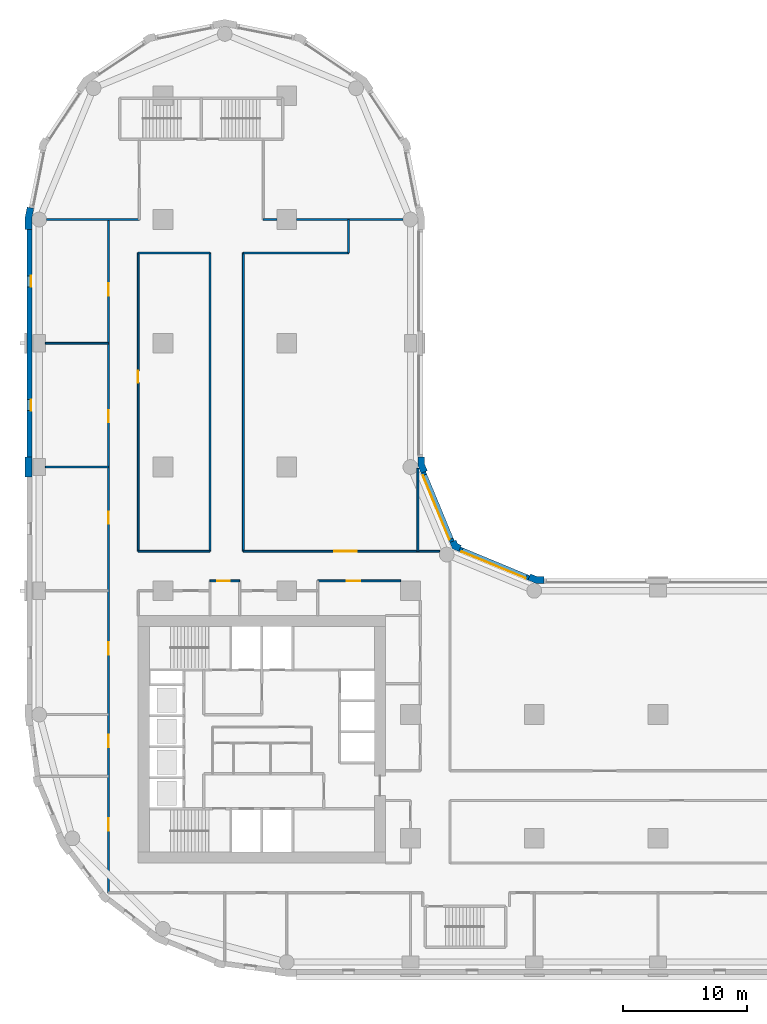
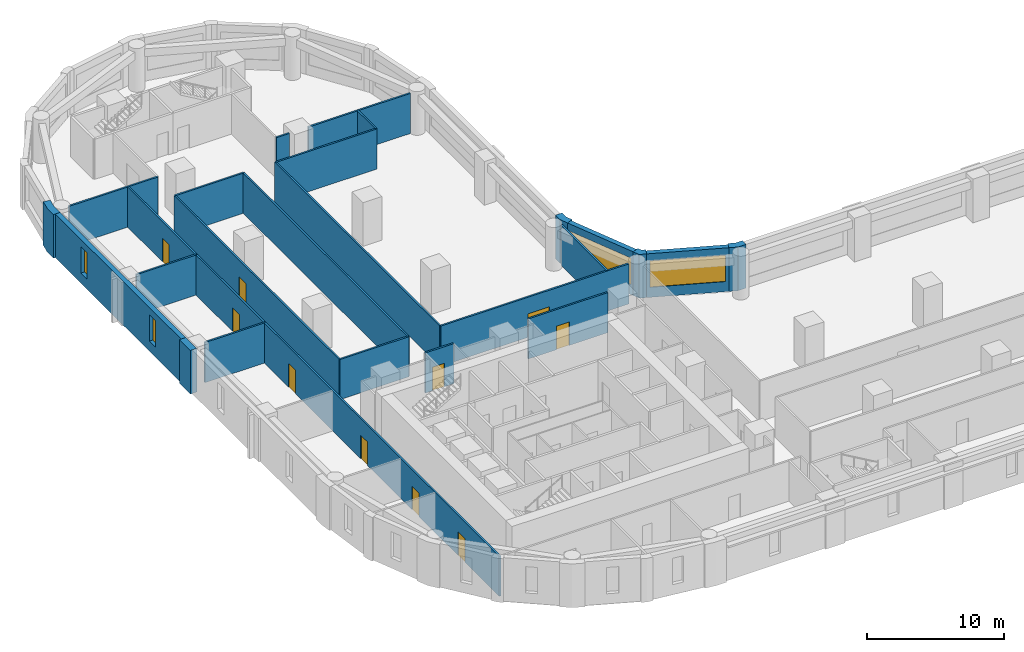
# One storey, part 5 of 10: 25 walls, 10 doors, 4 windows, 14 openings.
"""IFC4 building model written with IfcOpenShell, lengths in metres."""

from ifc_helpers import new_model, si_unit, direction, frame, frame_2d, origin, place, context, subcontext, project, spatial, polyline, rectangle, outline, extrude, material, layer, layer_set, type_object, element, fill, save


model = new_model("IFC4")

# Units and contexts
model_context = context("Model", 3, precision=1e-05, world=origin(), true_north=direction((0.0, 1.0)))
body_context = subcontext(model_context, "Body", "Model", "MODEL_VIEW")
ifc_project = project(units=[si_unit("LENGTHUNIT", "METRE"), si_unit("AREAUNIT", "SQUARE_METRE"), si_unit("VOLUMEUNIT", "CUBIC_METRE"), si_unit("PLANEANGLEUNIT", "RADIAN"), si_unit("MASSUNIT", "GRAM", prefix="KILO")], contexts=[model_context])

# Site, building, storey
site_placement = place(None, origin())
site = spatial("IfcSite", under=ifc_project, at=site_placement, CompositionType="ELEMENT")
building_placement = place(site_placement, origin())
building = spatial("IfcBuilding", under=site, at=building_placement, Name="Qaws Garden Tower", CompositionType="ELEMENT")
storey_placement = place(building_placement, frame((0.0, 0.0, 54.89990234375)))
storey = spatial("IfcBuildingStorey", under=building, at=storey_placement, Name="L13", CompositionType="ELEMENT", Elevation=54.89990234375)

# Wall, opening, window
ifc_material_1 = material(Name="Clay facing brick masonry", Category="masonry")
ifc_layer_1 = layer(ifc_material_1, 0.39990234375)
ifc_layer_set_1 = layer_set([ifc_layer_1], Name="Clay facing brick masonry")
wall_type_1 = type_object("IfcWallType", Name="Brick infill wall 400", PredefinedType="SOLIDWALL", material=ifc_layer_set_1)
wall_1_placement = place(storey_placement, frame((39.56689453125, 31.04541015625, 0.0), z_axis=(0.0, 0.0, 1.0), x_axis=(-0.923891000409, 0.382655745237, 0.0)))
wall_1 = element("IfcWall", 1, at=wall_1_placement, inside=storey, type_object=wall_type_1, Name="E-L13-infill-11", PredefinedType="SOLIDWALL", context=body_context, shape_type="SweptSolid", body=[
    extrude(rectangle(XDim=6.053466796875, YDim=0.39990234375, at=frame_2d((3.02685546875, 0.0))), origin(), (0.0, 0.0, 1.0), 3.900146484375),
])
opening_1_placement = place(wall_1_placement, frame((0.226806640625, 0.0, 0.89990234375)))
opening_1 = element("IfcOpeningElement", 2, at=opening_1_placement, cuts=wall_1, Name="Opening W04", PredefinedType="OPENING", context=body_context, shape_type="SweptSolid", body=[
    extrude(rectangle(XDim=5.60009765625, YDim=2.35009765625, at=frame_2d((2.800048828125, 1.175048828125))), frame((0.0, 0.2099609375, 0.0), z_axis=(0.0, -1.0, 0.0), x_axis=(1.0, 0.0, 0.0)), (0.0, 0.0, 1.0), 0.419921875),
])
ifc_material_2 = material(Name="Aluminium framed window, clear glazing", Category="aluminium")
window_type_1 = type_object("IfcWindowType", Name="Ribbon window 5600 x 2350", PartitioningType="DOUBLE_PANEL_VERTICAL", PredefinedType="WINDOW", material=ifc_material_2)
window_1_placement = place(opening_1_placement, origin())
window_1 = element("IfcWindow", 3, at=window_1_placement, inside=storey, type_object=window_type_1, Name="E-L13-window-11-0", OverallHeight=2.35009765625, OverallWidth=5.60009765625, PartitioningType="SINGLE_PANEL", PredefinedType="WINDOW", context=body_context, shape_type="SweptSolid", body=[
    extrude(rectangle(XDim=5.60009765625, YDim=2.35009765625, at=frame_2d((2.800048828125, 1.175048828125))), frame((0.0, 0.159912109375, 0.0), z_axis=(0.0, -1.0, 0.0), x_axis=(1.0, 0.0, 0.0)), (0.0, 0.0, 1.0), 0.06005859375),
])
fill(opening_1, window_1)

wall_2_placement = place(storey_placement, frame((33.36181640625, 33.97412109375, 0.0), z_axis=(0.0, 0.0, 1.0), x_axis=(-0.382655745237, 0.923891000409, 0.0)))
wall_2 = element("IfcWall", 4, at=wall_2_placement, inside=storey, type_object=wall_type_1, Name="E-L13-infill-12", PredefinedType="SOLIDWALL", context=body_context, shape_type="SweptSolid", body=[
    extrude(rectangle(XDim=6.053466796875, YDim=0.39990234375, at=frame_2d((3.02685546875, 0.0))), origin(), (0.0, 0.0, 1.0), 3.900146484375),
])
opening_2_placement = place(wall_2_placement, frame((0.226806640625, 0.0, 0.89990234375)))
opening_2 = element("IfcOpeningElement", 5, at=opening_2_placement, cuts=wall_2, Name="Opening W04", PredefinedType="OPENING", context=body_context, shape_type="SweptSolid", body=[
    extrude(rectangle(XDim=5.60009765625, YDim=2.35009765625, at=frame_2d((2.800048828125, 1.175048828125))), frame((0.0, 0.2099609375, 0.0), z_axis=(0.0, -1.0, 0.0), x_axis=(1.0, 0.0, 0.0)), (0.0, 0.0, 1.0), 0.419921875),
])
window_2_placement = place(opening_2_placement, origin())
window_2 = element("IfcWindow", 6, at=window_2_placement, inside=storey, type_object=window_type_1, Name="E-L13-window-12-0", OverallHeight=2.35009765625, OverallWidth=5.60009765625, PartitioningType="SINGLE_PANEL", PredefinedType="WINDOW", context=body_context, shape_type="SweptSolid", body=[
    extrude(rectangle(XDim=5.60009765625, YDim=2.35009765625, at=frame_2d((2.800048828125, 1.175048828125))), frame((0.0, 0.159912109375, 0.0), z_axis=(0.0, -1.0, 0.0), x_axis=(1.0, 0.0, 0.0)), (0.0, 0.0, 1.0), 0.06005859375),
])
fill(opening_2, window_2)

# Wall, openings, windows
wall_3_placement = place(storey_placement, frame((-0.800048828125, 59.199951171875, 0.0), z_axis=(0.0, 0.0, 1.0), x_axis=(0.0, -1.0, 0.0)))
wall_3 = element("IfcWall", 7, at=wall_3_placement, inside=storey, type_object=wall_type_1, Name="E-L13-infill-23", PredefinedType="SOLIDWALL", context=body_context, shape_type="SweptSolid", body=[
    extrude(rectangle(XDim=18.39990234375, YDim=0.39990234375, at=frame_2d((9.199951171875, 0.0))), origin(), (0.0, 0.0, 1.0), 3.900146484375),
])
opening_3_placement = place(wall_3_placement, frame((3.75, 0.0, 0.89990234375)))
opening_3 = element("IfcOpeningElement", 8, at=opening_3_placement, cuts=wall_3, Name="Opening W09", PredefinedType="OPENING", context=body_context, shape_type="SweptSolid", body=[
    extrude(rectangle(XDim=0.89990234375, YDim=2.35009765625, at=frame_2d((0.449951171875, 1.175048828125))), frame((0.0, 0.2099609375, 0.0), z_axis=(0.0, -1.0, 0.0), x_axis=(1.0, 0.0, 0.0)), (0.0, 0.0, 1.0), 0.419921875),
])
opening_4_placement = place(wall_3_placement, frame((13.75, 0.0, 0.89990234375)))
opening_4 = element("IfcOpeningElement", 9, at=opening_4_placement, cuts=wall_3, Name="Opening W09", PredefinedType="OPENING", context=body_context, shape_type="SweptSolid", body=[
    extrude(rectangle(XDim=0.89990234375, YDim=2.35009765625, at=frame_2d((0.449951171875, 1.175048828125))), frame((0.0, 0.2099609375, 0.0), z_axis=(0.0, -1.0, 0.0), x_axis=(1.0, 0.0, 0.0)), (0.0, 0.0, 1.0), 0.419921875),
])
ifc_material_3 = material(Name="Aluminium framed window, clear glazing", Category="aluminium")
window_type_2 = type_object("IfcWindowType", Name="Slit window 900 x 2350", PartitioningType="SINGLE_PANEL", PredefinedType="WINDOW", material=ifc_material_3)
window_3_placement = place(opening_3_placement, origin())
window_3 = element("IfcWindow", 10, at=window_3_placement, inside=storey, type_object=window_type_2, Name="E-L13-window-23-0", OverallHeight=2.35009765625, OverallWidth=0.89990234375, PartitioningType="SINGLE_PANEL", PredefinedType="WINDOW", context=body_context, shape_type="SweptSolid", body=[
    extrude(rectangle(XDim=0.89990234375, YDim=2.35009765625, at=frame_2d((0.449951171875, 1.175048828125))), frame((0.0, 0.159912109375, 0.0), z_axis=(0.0, -1.0, 0.0), x_axis=(1.0, 0.0, 0.0)), (0.0, 0.0, 1.0), 0.06005859375),
])
fill(opening_3, window_3)
window_4_placement = place(opening_4_placement, origin())
window_4 = element("IfcWindow", 11, at=window_4_placement, inside=storey, type_object=window_type_2, Name="E-L13-window-24-0", OverallHeight=2.35009765625, OverallWidth=0.89990234375, PartitioningType="SINGLE_PANEL", PredefinedType="WINDOW", context=body_context, shape_type="SweptSolid", body=[
    extrude(rectangle(XDim=0.89990234375, YDim=2.35009765625, at=frame_2d((0.449951171875, 1.175048828125))), frame((0.0, 0.159912109375, 0.0), z_axis=(0.0, -1.0, 0.0), x_axis=(1.0, 0.0, 0.0)), (0.0, 0.0, 1.0), 0.06005859375),
])
fill(opening_4, window_4)

# Walls
ifc_material_4 = material(Name="Clay facing brick masonry", Category="masonry")
ifc_layer_2 = layer(ifc_material_4, 0.550048828125)
ifc_layer_set_2 = layer_set([ifc_layer_2], Name="Clay facing brick masonry")
wall_type_2 = type_object("IfcWallType", Name="Brick pier 550 x 1600", PredefinedType="SOLIDWALL", material=ifc_layer_set_2)
placement = place(storey_placement, origin())
element("IfcWall", 12, at=placement, inside=storey, type_object=wall_type_2, Name="E-L13-pier-11", PredefinedType="SOLIDWALL", context=body_context, shape_type="SweptSolid", body=[
    extrude(outline(polyline([(40.800048828125, 31.0), (40.800048828125, 31.14990234375), (40.228759765625, 31.14990234375), (39.700927734375, 31.36865234375), (39.6435546875, 31.22998046875), (39.490478515625, 30.860595703125), (40.119384765625, 30.60009765625), (40.800048828125, 30.60009765625), (40.800048828125, 31.0)])), origin(), (0.0, 0.0, 1.0), 3.900146484375),
])
element("IfcWall", 13, at=placement, inside=storey, type_object=wall_type_2, Name="E-L13-pier-12", PredefinedType="SOLIDWALL", context=body_context, shape_type="SweptSolid", body=[
    extrude(outline(polyline([(34.05078125, 33.546630859375), (34.108154296875, 33.685302734375), (33.80908203125, 33.80908203125), (33.685302734375, 34.108154296875), (33.546630859375, 34.05078125), (33.177001953125, 33.897705078125), (33.38818359375, 33.38818359375), (33.897705078125, 33.177001953125), (34.05078125, 33.546630859375)])), origin(), (0.0, 0.0, 1.0), 3.900146484375),
])
element("IfcWall", 14, at=placement, inside=storey, type_object=wall_type_2, Name="E-L13-pier-13", PredefinedType="SOLIDWALL", context=body_context, shape_type="SweptSolid", body=[
    extrude(outline(polyline([(31.22998046875, 39.6435546875), (31.36865234375, 39.700927734375), (31.14990234375, 40.228759765625), (31.14990234375, 40.800048828125), (31.0, 40.800048828125), (30.60009765625, 40.800048828125), (30.60009765625, 40.119384765625), (30.860595703125, 39.490478515625), (31.22998046875, 39.6435546875)])), origin(), (0.0, 0.0, 1.0), 3.900146484375),
])
element("IfcWall", 15, at=placement, inside=storey, type_object=wall_type_2, Name="E-L13-pier-23", PredefinedType="SOLIDWALL", context=body_context, shape_type="SweptSolid", body=[
    extrude(outline(polyline([(-0.82470703125, 60.979736328125), (-0.971923828125, 61.009033203125), (-1.14990234375, 60.11328125), (-1.14990234375, 59.199951171875), (-1.0, 59.199951171875), (-0.60009765625, 59.199951171875), (-0.60009765625, 60.05908203125), (-0.432373046875, 60.901611328125), (-0.82470703125, 60.979736328125)])), origin(), (0.0, 0.0, 1.0), 3.900146484375),
])
element("IfcWall", 16, at=placement, inside=storey, type_object=wall_type_2, Name="E-L13-pier-25", PredefinedType="SOLIDWALL", context=body_context, shape_type="SweptSolid", body=[
    extrude(outline(polyline([(-1.0, 40.800048828125), (-1.14990234375, 40.800048828125), (-1.14990234375, 40.0), (-1.14990234375, 39.199951171875), (-1.0, 39.199951171875), (-0.60009765625, 39.199951171875), (-0.60009765625, 40.0), (-0.60009765625, 40.800048828125), (-1.0, 40.800048828125)])), origin(), (0.0, 0.0, 1.0), 3.900146484375),
])

# Wall, openings, doors
ifc_material_5 = material(Name="Gypsum board partition")
ifc_layer_3 = layer(ifc_material_5, 0.14990234375)
ifc_layer_set_3 = layer_set([ifc_layer_3], Name="Gypsum board partition")
wall_type_3 = type_object("IfcWallType", Name="PARTITION 150 EI 60", PredefinedType="PARTITIONING", material=ifc_layer_set_3)
wall_9_placement = place(storey_placement, frame((5.60009765625, 5.60009765625, 0.0), z_axis=(0.0, 0.0, 1.0), x_axis=(0.0, 1.0, 0.0)))
wall_9 = element("IfcWall", 17, at=wall_9_placement, inside=storey, type_object=wall_type_3, Name="O-L13-wall-001", PredefinedType="PARTITIONING", context=body_context, shape_type="SweptSolid", body=[
    extrude(rectangle(XDim=54.39990234375, YDim=0.14990234375, at=frame_2d((27.199951171875, 0.0))), origin(), (0.0, 0.0, 1.0), 3.580078125),
])
opening_5_placement = place(wall_9_placement, frame((5.0, 0.0, 0.0)))
opening_5 = element("IfcOpeningElement", 18, at=opening_5_placement, cuts=wall_9, Name="Opening A401", PredefinedType="OPENING", context=body_context, shape_type="SweptSolid", body=[
    extrude(rectangle(XDim=1.0, YDim=2.10009765625, at=frame_2d((0.5, 1.050048828125))), frame((0.0, 0.0849609375, 0.0), z_axis=(0.0, -1.0, 0.0), x_axis=(1.0, 0.0, 0.0)), (0.0, 0.0, 1.0), 0.169921875),
])
opening_6_placement = place(wall_9_placement, frame((11.75, 0.0, 0.0)))
opening_6 = element("IfcOpeningElement", 19, at=opening_6_placement, cuts=wall_9, Name="Opening A402", PredefinedType="OPENING", context=body_context, shape_type="SweptSolid", body=[
    extrude(rectangle(XDim=1.0, YDim=2.10009765625, at=frame_2d((0.5, 1.050048828125))), frame((0.0, 0.0849609375, 0.0), z_axis=(0.0, -1.0, 0.0), x_axis=(1.0, 0.0, 0.0)), (0.0, 0.0, 1.0), 0.169921875),
])
opening_7_placement = place(wall_9_placement, frame((19.25, 0.0, 0.0)))
opening_7 = element("IfcOpeningElement", 20, at=opening_7_placement, cuts=wall_9, Name="Opening A413", PredefinedType="OPENING", context=body_context, shape_type="SweptSolid", body=[
    extrude(rectangle(XDim=1.0, YDim=2.10009765625, at=frame_2d((0.5, 1.050048828125))), frame((0.0, 0.0849609375, 0.0), z_axis=(0.0, -1.0, 0.0), x_axis=(1.0, 0.0, 0.0)), (0.0, 0.0, 1.0), 0.169921875),
])
opening_8_placement = place(wall_9_placement, frame((29.800048828125, 0.0, 0.0)))
opening_8 = element("IfcOpeningElement", 21, at=opening_8_placement, cuts=wall_9, Name="Opening A418", PredefinedType="OPENING", context=body_context, shape_type="SweptSolid", body=[
    extrude(rectangle(XDim=1.0, YDim=2.10009765625, at=frame_2d((0.5, 1.050048828125))), frame((0.0, 0.0849609375, 0.0), z_axis=(0.0, -1.0, 0.0), x_axis=(1.0, 0.0, 0.0)), (0.0, 0.0, 1.0), 0.169921875),
])
opening_9_placement = place(wall_9_placement, frame((38.0, 0.0, 0.0)))
opening_9 = element("IfcOpeningElement", 22, at=opening_9_placement, cuts=wall_9, Name="Opening A419", PredefinedType="OPENING", context=body_context, shape_type="SweptSolid", body=[
    extrude(rectangle(XDim=1.0, YDim=2.10009765625, at=frame_2d((0.5, 1.050048828125))), frame((0.0, 0.0849609375, 0.0), z_axis=(0.0, -1.0, 0.0), x_axis=(1.0, 0.0, 0.0)), (0.0, 0.0, 1.0), 0.169921875),
])
opening_10_placement = place(wall_9_placement, frame((48.25, 0.0, 0.0)))
opening_10 = element("IfcOpeningElement", 23, at=opening_10_placement, cuts=wall_9, Name="Opening A420", PredefinedType="OPENING", context=body_context, shape_type="SweptSolid", body=[
    extrude(rectangle(XDim=1.0, YDim=2.10009765625, at=frame_2d((0.5, 1.050048828125))), frame((0.0, 0.0849609375, 0.0), z_axis=(0.0, -1.0, 0.0), x_axis=(1.0, 0.0, 0.0)), (0.0, 0.0, 1.0), 0.169921875),
])
ifc_material_6 = material(Name="Timber door leaf", Category="wood")
door_type_1 = type_object("IfcDoorType", Name="TENANCY ENTRANCE DOOR 1000 X 2100", OperationType="SINGLE_SWING_LEFT", PredefinedType="DOOR", material=ifc_material_6)
door_1_placement = place(opening_5_placement, origin())
door_1 = element("IfcDoor", 24, at=door_1_placement, inside=storey, type_object=door_type_1, Name="O-L13-door-001", OperationType="SINGLE_SWING_RIGHT", OverallHeight=2.10009765625, OverallWidth=1.0, PredefinedType="DOOR", context=body_context, shape_type="SweptSolid", body=[
    extrude(rectangle(XDim=1.0, YDim=2.10009765625, at=frame_2d((0.5, 1.050048828125))), frame((0.0, 0.02490234375, 0.0), z_axis=(0.0, -1.0, 0.0), x_axis=(1.0, 0.0, 0.0)), (0.0, 0.0, 1.0), 0.050048828125),
])
fill(opening_5, door_1)
door_2_placement = place(opening_6_placement, origin())
door_2 = element("IfcDoor", 25, at=door_2_placement, inside=storey, type_object=door_type_1, Name="O-L13-door-002", OperationType="SINGLE_SWING_RIGHT", OverallHeight=2.10009765625, OverallWidth=1.0, PredefinedType="DOOR", context=body_context, shape_type="SweptSolid", body=[
    extrude(rectangle(XDim=1.0, YDim=2.10009765625, at=frame_2d((0.5, 1.050048828125))), frame((0.0, 0.02490234375, 0.0), z_axis=(0.0, -1.0, 0.0), x_axis=(1.0, 0.0, 0.0)), (0.0, 0.0, 1.0), 0.050048828125),
])
fill(opening_6, door_2)
door_3_placement = place(opening_7_placement, origin())
door_3 = element("IfcDoor", 26, at=door_3_placement, inside=storey, type_object=door_type_1, Name="O-L13-door-013", OperationType="SINGLE_SWING_RIGHT", OverallHeight=2.10009765625, OverallWidth=1.0, PredefinedType="DOOR", context=body_context, shape_type="SweptSolid", body=[
    extrude(rectangle(XDim=1.0, YDim=2.10009765625, at=frame_2d((0.5, 1.050048828125))), frame((0.0, 0.02490234375, 0.0), z_axis=(0.0, -1.0, 0.0), x_axis=(1.0, 0.0, 0.0)), (0.0, 0.0, 1.0), 0.050048828125),
])
fill(opening_7, door_3)
door_4_placement = place(opening_8_placement, origin())
door_4 = element("IfcDoor", 27, at=door_4_placement, inside=storey, type_object=door_type_1, Name="O-L13-door-018", OperationType="SINGLE_SWING_LEFT", OverallHeight=2.10009765625, OverallWidth=1.0, PredefinedType="DOOR", context=body_context, shape_type="SweptSolid", body=[
    extrude(rectangle(XDim=1.0, YDim=2.10009765625, at=frame_2d((0.5, 1.050048828125))), frame((0.0, 0.02490234375, 0.0), z_axis=(0.0, -1.0, 0.0), x_axis=(1.0, 0.0, 0.0)), (0.0, 0.0, 1.0), 0.050048828125),
])
fill(opening_8, door_4)
door_5_placement = place(opening_9_placement, origin())
door_5 = element("IfcDoor", 28, at=door_5_placement, inside=storey, type_object=door_type_1, Name="O-L13-door-019", OperationType="SINGLE_SWING_LEFT", OverallHeight=2.10009765625, OverallWidth=1.0, PredefinedType="DOOR", context=body_context, shape_type="SweptSolid", body=[
    extrude(rectangle(XDim=1.0, YDim=2.10009765625, at=frame_2d((0.5, 1.050048828125))), frame((0.0, 0.02490234375, 0.0), z_axis=(0.0, -1.0, 0.0), x_axis=(1.0, 0.0, 0.0)), (0.0, 0.0, 1.0), 0.050048828125),
])
fill(opening_9, door_5)
door_6_placement = place(opening_10_placement, origin())
door_6 = element("IfcDoor", 29, at=door_6_placement, inside=storey, type_object=door_type_1, Name="O-L13-door-020", OperationType="SINGLE_SWING_LEFT", OverallHeight=2.10009765625, OverallWidth=1.0, PredefinedType="DOOR", context=body_context, shape_type="SweptSolid", body=[
    extrude(rectangle(XDim=1.0, YDim=2.10009765625, at=frame_2d((0.5, 1.050048828125))), frame((0.0, 0.02490234375, 0.0), z_axis=(0.0, -1.0, 0.0), x_axis=(1.0, 0.0, 0.0)), (0.0, 0.0, 1.0), 0.050048828125),
])
fill(opening_10, door_6)

# Wall, opening, door
wall_10_placement = place(storey_placement, frame((8.0, 33.199951171875, 0.0), z_axis=(0.0, 0.0, 1.0), x_axis=(0.0, 1.0, 0.0)))
wall_10 = element("IfcWall", 30, at=wall_10_placement, inside=storey, type_object=wall_type_3, Name="O-L13-wall-003", PredefinedType="PARTITIONING", context=body_context, shape_type="SweptSolid", body=[
    extrude(rectangle(XDim=24.10009765625, YDim=0.14990234375, at=frame_2d((12.050048828125, 0.0))), origin(), (0.0, 0.0, 1.0), 3.580078125),
])
opening_11_placement = place(wall_10_placement, frame((13.60009765625, 0.0, 0.0)))
opening_11 = element("IfcOpeningElement", 31, at=opening_11_placement, cuts=wall_10, Name="Opening A414", PredefinedType="OPENING", context=body_context, shape_type="SweptSolid", body=[
    extrude(rectangle(XDim=1.0, YDim=2.10009765625, at=frame_2d((0.5, 1.050048828125))), frame((0.0, 0.0849609375, 0.0), z_axis=(0.0, -1.0, 0.0), x_axis=(1.0, 0.0, 0.0)), (0.0, 0.0, 1.0), 0.169921875),
])
door_7_placement = place(opening_11_placement, frame((1.0, 0.0, 0.0), z_axis=(0.0, 0.0, 1.0), x_axis=(-1.0, 0.0, 0.0)))
door_7 = element("IfcDoor", 32, at=door_7_placement, inside=storey, type_object=door_type_1, Name="O-L13-door-014", OperationType="SINGLE_SWING_RIGHT", OverallHeight=2.10009765625, OverallWidth=1.0, PredefinedType="DOOR", context=body_context, shape_type="SweptSolid", body=[
    extrude(rectangle(XDim=1.0, YDim=2.10009765625, at=frame_2d((0.5, 1.050048828125))), frame((0.0, 0.02490234375, 0.0), z_axis=(0.0, -1.0, 0.0), x_axis=(1.0, 0.0, 0.0)), (0.0, 0.0, 1.0), 0.050048828125),
])
fill(opening_11, door_7)

# Walls
for number, where, z_axis, x_axis, name in (
    (33, (13.800048828125, 33.199951171875, 0.0), (0.0, 0.0, 1.0), (0.0, 1.0, 0.0), "O-L13-wall-006"),
    (34, (16.5, 33.199951171875, 0.0), (0.0, 0.0, 1.0), (0.0, 1.0, 0.0), "O-L13-wall-009"),
):
    element("IfcWall", number, at=place(storey_placement, frame(where, z_axis=z_axis, x_axis=x_axis)), inside=storey, type_object=wall_type_3, Name=name, PredefinedType="PARTITIONING", context=body_context, shape_type="SweptSolid", body=[
        extrude(rectangle(XDim=24.10009765625, YDim=0.14990234375, at=frame_2d((12.050048828125, 0.0))), origin(), (0.0, 0.0, 1.0), 3.580078125),
    ])
wall_11_placement = place(storey_placement, frame((25.0, 57.300048828125, 0.0), z_axis=(0.0, 0.0, 1.0), x_axis=(0.0, 1.0, 0.0)))
element("IfcWall", 35, at=wall_11_placement, inside=storey, type_object=wall_type_3, Name="O-L13-wall-013", PredefinedType="PARTITIONING", context=body_context, shape_type="SweptSolid", body=[
    extrude(rectangle(XDim=2.699951171875, YDim=0.14990234375, at=frame_2d((1.35009765625, 0.0))), origin(), (0.0, 0.0, 1.0), 3.580078125),
])
wall_12_placement = place(storey_placement, frame((30.60009765625, 33.199951171875, 0.0), z_axis=(0.0, 0.0, 1.0), x_axis=(0.0, 1.0, 0.0)))
element("IfcWall", 36, at=wall_12_placement, inside=storey, type_object=wall_type_3, Name="O-L13-wall-017", PredefinedType="PARTITIONING", context=body_context, shape_type="SweptSolid", body=[
    extrude(rectangle(XDim=6.698974609375, YDim=0.14990234375, at=frame_2d((3.349609375, 0.0))), origin(), (0.0, 0.0, 1.0), 3.580078125),
])

# Wall, opening, door
wall_13_placement = place(storey_placement, frame((13.800048828125, 30.800048828125, 0.0), z_axis=(0.0, 0.0, 1.0), x_axis=(1.0, 0.0, 0.0)))
wall_13 = element("IfcWall", 37, at=wall_13_placement, inside=storey, type_object=wall_type_3, Name="O-L13-wall-046", PredefinedType="PARTITIONING", context=body_context, shape_type="SweptSolid", body=[
    extrude(rectangle(XDim=2.39990234375, YDim=0.14990234375, at=frame_2d((1.199951171875, 0.0))), origin(), (0.0, 0.0, 1.0), 3.580078125),
])
opening_12_placement = place(wall_13_placement, frame((0.60009765625, 0.0, 0.0)))
opening_12 = element("IfcOpeningElement", 38, at=opening_12_placement, cuts=wall_13, Name="Opening A417", PredefinedType="OPENING", context=body_context, shape_type="SweptSolid", body=[
    extrude(rectangle(XDim=1.0, YDim=2.10009765625, at=frame_2d((0.5, 1.050048828125))), frame((0.0, 0.0849609375, 0.0), z_axis=(0.0, -1.0, 0.0), x_axis=(1.0, 0.0, 0.0)), (0.0, 0.0, 1.0), 0.169921875),
])
door_8_placement = place(opening_12_placement, frame((1.0, 0.0, 0.0), z_axis=(0.0, 0.0, 1.0), x_axis=(-1.0, 0.0, 0.0)))
door_8 = element("IfcDoor", 39, at=door_8_placement, inside=storey, type_object=door_type_1, Name="O-L13-door-017", OperationType="SINGLE_SWING_RIGHT", OverallHeight=2.10009765625, OverallWidth=1.0, PredefinedType="DOOR", context=body_context, shape_type="SweptSolid", body=[
    extrude(rectangle(XDim=1.0, YDim=2.10009765625, at=frame_2d((0.5, 1.050048828125))), frame((0.0, 0.02490234375, 0.0), z_axis=(0.0, -1.0, 0.0), x_axis=(1.0, 0.0, 0.0)), (0.0, 0.0, 1.0), 0.050048828125),
])
fill(opening_12, door_8)

wall_14_placement = place(storey_placement, frame((22.5, 30.800048828125, 0.0), z_axis=(0.0, 0.0, 1.0), x_axis=(1.0, 0.0, 0.0)))
wall_14 = element("IfcWall", 40, at=wall_14_placement, inside=storey, type_object=wall_type_3, Name="O-L13-wall-047", PredefinedType="PARTITIONING", context=body_context, shape_type="SweptSolid", body=[
    extrude(rectangle(XDim=6.699951171875, YDim=0.14990234375, at=frame_2d((3.35009765625, 0.0))), origin(), (0.0, 0.0, 1.0), 3.580078125),
])
opening_13_placement = place(wall_14_placement, frame((2.35009765625, 0.0, 0.0)))
opening_13 = element("IfcOpeningElement", 41, at=opening_13_placement, cuts=wall_14, Name="Opening A412", PredefinedType="OPENING", context=body_context, shape_type="SweptSolid", body=[
    extrude(rectangle(XDim=1.10009765625, YDim=2.10009765625, at=frame_2d((0.550048828125, 1.050048828125))), frame((0.0, 0.0849609375, 0.0), z_axis=(0.0, -1.0, 0.0), x_axis=(1.0, 0.0, 0.0)), (0.0, 0.0, 1.0), 0.169921875),
])
ifc_material_7 = material(Name="Timber door leaf", Category="wood")
door_type_2 = type_object("IfcDoorType", Name="SERVICE ROOM DOOR 1100 X 2100", OperationType="SINGLE_SWING_LEFT", PredefinedType="DOOR", material=ifc_material_7)
door_9_placement = place(opening_13_placement, frame((1.10009765625, 0.0, 0.0), z_axis=(0.0, 0.0, 1.0), x_axis=(-1.0, 0.0, 0.0)))
door_9 = element("IfcDoor", 42, at=door_9_placement, inside=storey, type_object=door_type_2, Name="O-L13-door-012", OperationType="SINGLE_SWING_LEFT", OverallHeight=2.10009765625, OverallWidth=1.10009765625, PredefinedType="DOOR", context=body_context, shape_type="SweptSolid", body=[
    extrude(rectangle(XDim=1.10009765625, YDim=2.10009765625, at=frame_2d((0.550048828125, 1.050048828125))), frame((0.0, 0.02490234375, 0.0), z_axis=(0.0, -1.0, 0.0), x_axis=(1.0, 0.0, 0.0)), (0.0, 0.0, 1.0), 0.050048828125),
])
fill(opening_13, door_9)

# Wall
wall_15_placement = place(storey_placement, frame((8.0, 33.199951171875, 0.0), z_axis=(0.0, 0.0, 1.0), x_axis=(1.0, 0.0, 0.0)))
element("IfcWall", 43, at=wall_15_placement, inside=storey, type_object=wall_type_3, Name="O-L13-wall-048", PredefinedType="PARTITIONING", context=body_context, shape_type="SweptSolid", body=[
    extrude(rectangle(XDim=5.800048828125, YDim=0.14990234375, at=frame_2d((2.89990234375, 0.0))), origin(), (0.0, 0.0, 1.0), 3.580078125),
])

# Wall, opening, door
wall_16_placement = place(storey_placement, frame((16.5, 33.199951171875, 0.0), z_axis=(0.0, 0.0, 1.0), x_axis=(1.0, 0.0, 0.0)))
wall_16 = element("IfcWall", 44, at=wall_16_placement, inside=storey, type_object=wall_type_3, Name="O-L13-wall-049", PredefinedType="PARTITIONING", context=body_context, shape_type="SweptSolid", body=[
    extrude(rectangle(XDim=15.862060546875, YDim=0.14990234375, at=frame_2d((7.93115234375, 0.0))), origin(), (0.0, 0.0, 1.0), 3.580078125),
])
opening_14_placement = place(wall_16_placement, frame((7.35009765625, 0.0, 0.0)))
opening_14 = element("IfcOpeningElement", 45, at=opening_14_placement, cuts=wall_16, Name="Opening A415", PredefinedType="OPENING", context=body_context, shape_type="SweptSolid", body=[
    extrude(rectangle(XDim=1.800048828125, YDim=2.10009765625, at=frame_2d((0.89990234375, 1.050048828125))), frame((0.0, 0.0849609375, 0.0), z_axis=(0.0, -1.0, 0.0), x_axis=(1.0, 0.0, 0.0)), (0.0, 0.0, 1.0), 0.169921875),
])
ifc_material_8 = material(Name="Timber door leaf", Category="wood")
door_type_3 = type_object("IfcDoorType", Name="DOUBLE DOOR 1800 X 2100", OperationType="DOUBLE_DOOR_SINGLE_SWING", PredefinedType="DOOR", material=ifc_material_8)
door_10_placement = place(opening_14_placement, origin())
door_10 = element("IfcDoor", 46, at=door_10_placement, inside=storey, type_object=door_type_3, Name="O-L13-door-015", OperationType="DOUBLE_DOOR_SINGLE_SWING", OverallHeight=2.10009765625, OverallWidth=1.800048828125, PredefinedType="DOOR", context=body_context, shape_type="SweptSolid", body=[
    extrude(rectangle(XDim=1.800048828125, YDim=2.10009765625, at=frame_2d((0.89990234375, 1.050048828125))), frame((0.0, 0.02490234375, 0.0), z_axis=(0.0, -1.0, 0.0), x_axis=(1.0, 0.0, 0.0)), (0.0, 0.0, 1.0), 0.050048828125),
])
fill(opening_14, door_10)

# Walls
for number, where, z_axis, x_axis, name in (
    (47, (0.5, 40.0, 0.0), (0.0, 0.0, 1.0), (1.0, 0.0, 0.0), "O-L13-wall-050"),
    (48, (0.5, 50.0, 0.0), (0.0, 0.0, 1.0), (1.0, 0.0, 0.0), "O-L13-wall-051"),
):
    element("IfcWall", number, at=place(storey_placement, frame(where, z_axis=z_axis, x_axis=x_axis)), inside=storey, type_object=wall_type_3, Name=name, PredefinedType="PARTITIONING", context=body_context, shape_type="SweptSolid", body=[
        extrude(rectangle(XDim=5.10009765625, YDim=0.14990234375, at=frame_2d((2.550048828125, 0.0))), origin(), (0.0, 0.0, 1.0), 3.580078125),
    ])
wall_17_placement = place(storey_placement, frame((8.0, 57.300048828125, 0.0), z_axis=(0.0, 0.0, 1.0), x_axis=(1.0, 0.0, 0.0)))
element("IfcWall", 49, at=wall_17_placement, inside=storey, type_object=wall_type_3, Name="O-L13-wall-052", PredefinedType="PARTITIONING", context=body_context, shape_type="SweptSolid", body=[
    extrude(rectangle(XDim=5.800048828125, YDim=0.14990234375, at=frame_2d((2.89990234375, 0.0))), origin(), (0.0, 0.0, 1.0), 3.580078125),
])
wall_18_placement = place(storey_placement, frame((16.5, 57.300048828125, 0.0), z_axis=(0.0, 0.0, 1.0), x_axis=(1.0, 0.0, 0.0)))
element("IfcWall", 50, at=wall_18_placement, inside=storey, type_object=wall_type_3, Name="O-L13-wall-053", PredefinedType="PARTITIONING", context=body_context, shape_type="SweptSolid", body=[
    extrude(rectangle(XDim=8.5, YDim=0.14990234375, at=frame_2d((4.25, 0.0))), origin(), (0.0, 0.0, 1.0), 3.580078125),
])
wall_19_placement = place(storey_placement, frame((0.60009765625, 60.0, 0.0), z_axis=(0.0, 0.0, 1.0), x_axis=(1.0, 0.0, 0.0)))
element("IfcWall", 51, at=wall_19_placement, inside=storey, type_object=wall_type_3, Name="O-L13-wall-054", PredefinedType="PARTITIONING", context=body_context, shape_type="SweptSolid", body=[
    extrude(rectangle(XDim=7.5, YDim=0.14990234375, at=frame_2d((3.75, 0.0))), origin(), (0.0, 0.0, 1.0), 3.580078125),
])
wall_20_placement = place(storey_placement, frame((18.10009765625, 60.0, 0.0), z_axis=(0.0, 0.0, 1.0), x_axis=(1.0, 0.0, 0.0)))
element("IfcWall", 52, at=wall_20_placement, inside=storey, type_object=wall_type_3, Name="O-L13-wall-055", PredefinedType="PARTITIONING", context=body_context, shape_type="SweptSolid", body=[
    extrude(rectangle(XDim=1.099853515625, YDim=0.14990234375, at=frame_2d((0.5498046875, 0.0))), origin(), (0.0, 0.0, 1.0), 3.580078125),
])
wall_21_placement = place(storey_placement, frame((20.800048828125, 60.0, 0.0), z_axis=(0.0, 0.0, 1.0), x_axis=(1.0, 0.0, 0.0)))
element("IfcWall", 53, at=wall_21_placement, inside=storey, type_object=wall_type_3, Name="O-L13-wall-056", PredefinedType="PARTITIONING", context=body_context, shape_type="SweptSolid", body=[
    extrude(rectangle(XDim=8.599853515625, YDim=0.14990234375, at=frame_2d((4.2998046875, 0.0))), origin(), (0.0, 0.0, 1.0), 3.580078125),
])

save(model, "model.ifc")
